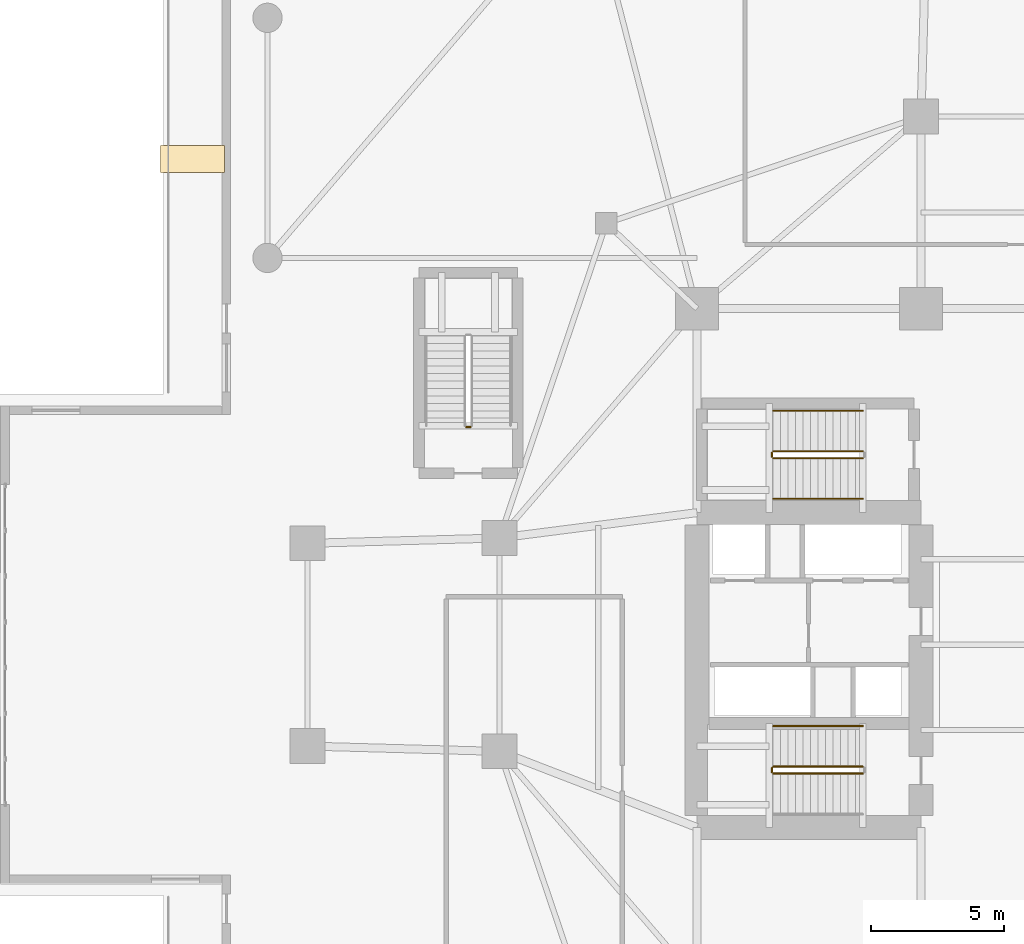
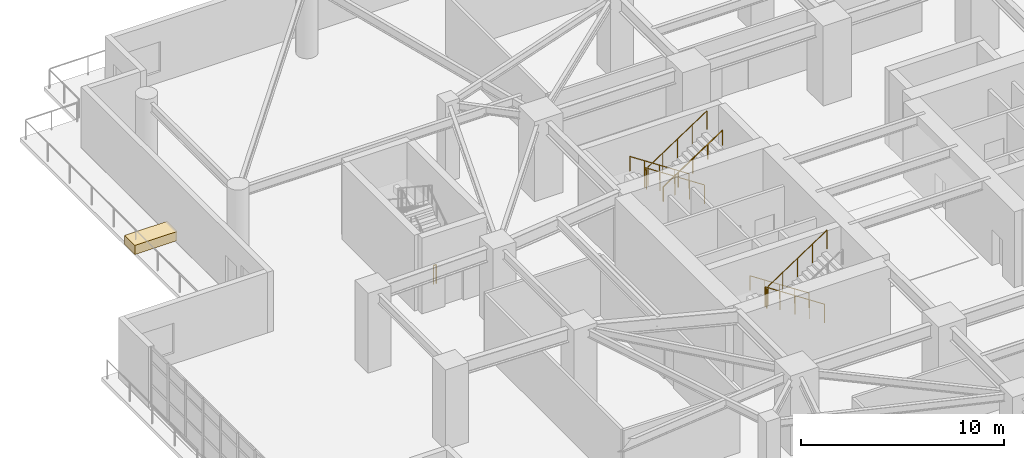
# One storey, part 20 of 23: 10 railings, 1 covering.
"""IFC4 building model written with IfcOpenShell, lengths in metres."""

from ifc_helpers import new_model, si_unit, direction, frame, origin, origin_2d, place, context, subcontext, project, spatial, rectangle, circle, extrude, material, layer, layer_set, type_object, element, save


model = new_model("IFC4")

# Units and contexts
model_context = context("Model", 3, precision=1e-05, world=origin(), true_north=direction((0.0, 1.0)))
body_context = subcontext(model_context, "Body", "Model", "MODEL_VIEW")
ifc_project = project(units=[si_unit("LENGTHUNIT", "METRE"), si_unit("AREAUNIT", "SQUARE_METRE"), si_unit("VOLUMEUNIT", "CUBIC_METRE"), si_unit("PLANEANGLEUNIT", "RADIAN"), si_unit("MASSUNIT", "GRAM", prefix="KILO")], contexts=[model_context])

# Site, building, storey
site_placement = place(None, origin())
site = spatial("IfcSite", under=ifc_project, at=site_placement, CompositionType="ELEMENT")
building_placement = place(site_placement, origin())
building = spatial("IfcBuilding", under=site, at=building_placement, Name="Qingluan Cross Belvedere", CompositionType="ELEMENT")
storey_placement = place(building_placement, frame((0.0, 0.0, 5.39990234375)))
storey = spatial("IfcBuildingStorey", under=building, at=storey_placement, Name="L02", CompositionType="ELEMENT", Elevation=5.39990234375)

# Railings
ifc_material_1 = material(Name="Brushed stainless steel tubular handrail", Category="steel")
railing_type_1 = type_object("IfcRailingType", Name="StairPitchHandrail_900", PredefinedType="HANDRAIL", material=ifc_material_1)
for number, where, name in (
    (1, (-6.179931640625, -3.050048828125, 0.184814453125), "L02 ST1 stair handrail 1"),
    (2, (-6.179931640625, 8.77001953125, 0.184814453125), "L02 ST3 stair handrail 1"),
):
    element("IfcRailing", number, at=place(storey_placement, frame(where)), inside=storey, type_object=railing_type_1, Name=name, PredefinedType="HANDRAIL", context=body_context, shape_type="SweptSolid", body=[
        extrude(circle(Radius=0.02392578125, at=origin_2d()), frame((0.0, 0.0, 0.8759765625), z_axis=(-0.834876476806, 0.0, 0.550437342915), x_axis=(0.0, -1.0, 0.0)), (0.0, 0.0, 1.0), 4.024658203125),
        extrude(circle(Radius=0.02099609375, at=origin_2d()), origin(), (0.0, 0.0, 1.0), 0.851806640625),
        extrude(circle(Radius=0.02099609375, at=origin_2d()), frame((-0.840087890625, 0.0, 0.5537109375)), (0.0, 0.0, 1.0), 0.851806640625),
        extrude(circle(Radius=0.02099609375, at=origin_2d()), frame((-1.68017578125, 0.0, 1.107666015625)), (0.0, 0.0, 1.0), 0.851806640625),
        extrude(circle(Radius=0.02099609375, at=origin_2d()), frame((-2.52001953125, 0.0, 1.66162109375)), (0.0, 0.0, 1.0), 0.851806640625),
        extrude(circle(Radius=0.02099609375, at=origin_2d()), frame((-3.360107421875, 0.0, 2.21533203125)), (0.0, 0.0, 1.0), 0.851806640625),
    ])
railing_1_placement = place(storey_placement, frame((-9.5400390625, 5.469970703125, 2.584716796875)))
element("IfcRailing", 3, at=railing_1_placement, inside=storey, type_object=railing_type_1, Name="L02 ST3 stair handrail 2", PredefinedType="HANDRAIL", context=body_context, shape_type="SweptSolid", body=[
    extrude(circle(Radius=0.02392578125, at=origin_2d()), frame((0.0, 0.0, 0.8759765625), z_axis=(0.834876476806, 0.0, 0.550437342915), x_axis=(0.0, 1.0, 0.0)), (0.0, 0.0, 1.0), 4.024658203125),
    extrude(circle(Radius=0.02099609375, at=origin_2d()), origin(), (0.0, 0.0, 1.0), 0.851806640625),
    extrude(circle(Radius=0.02099609375, at=origin_2d()), frame((0.840087890625, 0.0, 0.5537109375)), (0.0, 0.0, 1.0), 0.851806640625),
    extrude(circle(Radius=0.02099609375, at=origin_2d()), frame((1.68017578125, 0.0, 1.107666015625)), (0.0, 0.0, 1.0), 0.851806640625),
    extrude(circle(Radius=0.02099609375, at=origin_2d()), frame((2.52001953125, 0.0, 1.66162109375)), (0.0, 0.0, 1.0), 0.851806640625),
    extrude(circle(Radius=0.02099609375, at=origin_2d()), frame((3.360107421875, 0.0, 2.21533203125)), (0.0, 0.0, 1.0), 0.851806640625),
])
ifc_material_2 = material(Name="Painted steel stair well guard", Category="steel")
railing_type_2 = type_object("IfcRailingType", Name="StairWellGuard_1150", PredefinedType="BALUSTRADE", material=ifc_material_2)
railing_2_placement = place(storey_placement, frame((-6.179931640625, -4.570068359375, 0.184814453125)))
element("IfcRailing", 4, at=railing_2_placement, inside=storey, type_object=railing_type_2, Name="L02 ST1 stair guard 1", PredefinedType="BALUSTRADE", context=body_context, shape_type="SweptSolid", body=[
    extrude(circle(Radius=0.02392578125, at=origin_2d()), frame((0.0, 0.0, 1.1259765625), z_axis=(-0.834876476806, 0.0, 0.550437342915), x_axis=(0.0, -1.0, 0.0)), (0.0, 0.0, 1.0), 4.024658203125),
    extrude(circle(Radius=0.02099609375, at=origin_2d()), origin(), (0.0, 0.0, 1.0), 1.101806640625),
    extrude(circle(Radius=0.02099609375, at=origin_2d()), frame((-0.840087890625, 0.0, 0.5537109375)), (0.0, 0.0, 1.0), 1.101806640625),
    extrude(circle(Radius=0.02099609375, at=origin_2d()), frame((-1.68017578125, 0.0, 1.107666015625)), (0.0, 0.0, 1.0), 1.101806640625),
    extrude(circle(Radius=0.02099609375, at=origin_2d()), frame((-2.52001953125, 0.0, 1.66162109375)), (0.0, 0.0, 1.0), 1.101806640625),
    extrude(circle(Radius=0.02099609375, at=origin_2d()), frame((-3.360107421875, 0.0, 2.21533203125)), (0.0, 0.0, 1.0), 1.101806640625),
])
railing_3_placement = place(storey_placement, frame((-9.590087890625, -4.6201171875, 2.400146484375)))
element("IfcRailing", 5, at=railing_3_placement, inside=storey, type_object=railing_type_2, Name="L02 ST1 stair guard 2", PredefinedType="BALUSTRADE", context=body_context, shape_type="SweptSolid", body=[
    extrude(circle(Radius=0.02392578125, at=origin_2d()), frame((0.0, 0.0, 1.1259765625), z_axis=(0.0, -1.0, 0.0), x_axis=(1.0, 0.0, 0.0)), (0.0, 0.0, 1.0), 0.159912109375),
    extrude(circle(Radius=0.02099609375, at=origin_2d()), origin(), (0.0, 0.0, 1.0), 1.101806640625),
    extrude(circle(Radius=0.02099609375, at=origin_2d()), frame((0.0, -0.159912109375, 0.0)), (0.0, 0.0, 1.0), 1.101806640625),
])
railing_4_placement = place(storey_placement, frame((-9.5400390625, -4.830078125, 2.584716796875)))
element("IfcRailing", 6, at=railing_4_placement, inside=storey, type_object=railing_type_2, Name="L02 ST1 stair guard 3", PredefinedType="BALUSTRADE", context=body_context, shape_type="SweptSolid", body=[
    extrude(circle(Radius=0.02392578125, at=origin_2d()), frame((0.0, 0.0, 1.1259765625), z_axis=(0.834876476806, 0.0, 0.550437342915), x_axis=(0.0, 1.0, 0.0)), (0.0, 0.0, 1.0), 4.024658203125),
    extrude(circle(Radius=0.02099609375, at=origin_2d()), origin(), (0.0, 0.0, 1.0), 1.101806640625),
    extrude(circle(Radius=0.02099609375, at=origin_2d()), frame((0.840087890625, 0.0, 0.5537109375)), (0.0, 0.0, 1.0), 1.101806640625),
    extrude(circle(Radius=0.02099609375, at=origin_2d()), frame((1.68017578125, 0.0, 1.107666015625)), (0.0, 0.0, 1.0), 1.101806640625),
    extrude(circle(Radius=0.02099609375, at=origin_2d()), frame((2.52001953125, 0.0, 1.66162109375)), (0.0, 0.0, 1.0), 1.101806640625),
    extrude(circle(Radius=0.02099609375, at=origin_2d()), frame((3.360107421875, 0.0, 2.21533203125)), (0.0, 0.0, 1.0), 1.101806640625),
])
railing_5_placement = place(storey_placement, frame((-6.179931640625, 7.25, 0.184814453125)))
element("IfcRailing", 7, at=railing_5_placement, inside=storey, type_object=railing_type_2, Name="L02 ST3 stair guard 1", PredefinedType="BALUSTRADE", context=body_context, shape_type="SweptSolid", body=[
    extrude(circle(Radius=0.02392578125, at=origin_2d()), frame((0.0, 0.0, 1.1259765625), z_axis=(-0.834876476806, 0.0, 0.550437342915), x_axis=(0.0, -1.0, 0.0)), (0.0, 0.0, 1.0), 4.024658203125),
    extrude(circle(Radius=0.02099609375, at=origin_2d()), origin(), (0.0, 0.0, 1.0), 1.101806640625),
    extrude(circle(Radius=0.02099609375, at=origin_2d()), frame((-0.840087890625, 0.0, 0.5537109375)), (0.0, 0.0, 1.0), 1.101806640625),
    extrude(circle(Radius=0.02099609375, at=origin_2d()), frame((-1.68017578125, 0.0, 1.107666015625)), (0.0, 0.0, 1.0), 1.101806640625),
    extrude(circle(Radius=0.02099609375, at=origin_2d()), frame((-2.52001953125, 0.0, 1.66162109375)), (0.0, 0.0, 1.0), 1.101806640625),
    extrude(circle(Radius=0.02099609375, at=origin_2d()), frame((-3.360107421875, 0.0, 2.21533203125)), (0.0, 0.0, 1.0), 1.101806640625),
])
railing_6_placement = place(storey_placement, frame((-9.590087890625, 7.199951171875, 2.400146484375)))
element("IfcRailing", 8, at=railing_6_placement, inside=storey, type_object=railing_type_2, Name="L02 ST3 stair guard 2", PredefinedType="BALUSTRADE", context=body_context, shape_type="SweptSolid", body=[
    extrude(circle(Radius=0.02392578125, at=origin_2d()), frame((0.0, 0.0, 1.1259765625), z_axis=(0.0, -1.0, 0.0), x_axis=(1.0, 0.0, 0.0)), (0.0, 0.0, 1.0), 0.159912109375),
    extrude(circle(Radius=0.02099609375, at=origin_2d()), origin(), (0.0, 0.0, 1.0), 1.101806640625),
    extrude(circle(Radius=0.02099609375, at=origin_2d()), frame((0.0, -0.159912109375, 0.0)), (0.0, 0.0, 1.0), 1.101806640625),
])
railing_7_placement = place(storey_placement, frame((-9.5400390625, 6.989990234375, 2.584716796875)))
element("IfcRailing", 9, at=railing_7_placement, inside=storey, type_object=railing_type_2, Name="L02 ST3 stair guard 3", PredefinedType="BALUSTRADE", context=body_context, shape_type="SweptSolid", body=[
    extrude(circle(Radius=0.02392578125, at=origin_2d()), frame((0.0, 0.0, 1.1259765625), z_axis=(0.834876476806, 0.0, 0.550437342915), x_axis=(0.0, 1.0, 0.0)), (0.0, 0.0, 1.0), 4.024658203125),
    extrude(circle(Radius=0.02099609375, at=origin_2d()), origin(), (0.0, 0.0, 1.0), 1.101806640625),
    extrude(circle(Radius=0.02099609375, at=origin_2d()), frame((0.840087890625, 0.0, 0.5537109375)), (0.0, 0.0, 1.0), 1.101806640625),
    extrude(circle(Radius=0.02099609375, at=origin_2d()), frame((1.68017578125, 0.0, 1.107666015625)), (0.0, 0.0, 1.0), 1.101806640625),
    extrude(circle(Radius=0.02099609375, at=origin_2d()), frame((2.52001953125, 0.0, 1.66162109375)), (0.0, 0.0, 1.0), 1.101806640625),
    extrude(circle(Radius=0.02099609375, at=origin_2d()), frame((3.360107421875, 0.0, 2.21533203125)), (0.0, 0.0, 1.0), 1.101806640625),
])
railing_8_placement = place(storey_placement, frame((-20.889892578125, 8.159912109375, 0.0)))
element("IfcRailing", 10, at=railing_8_placement, inside=storey, type_object=railing_type_2, Name="L02 ST5 stair guard 4", PredefinedType="BALUSTRADE", context=body_context, shape_type="SweptSolid", body=[
    extrude(circle(Radius=0.02392578125, at=origin_2d()), frame((0.0, 0.0, 1.1259765625), z_axis=(-1.0, 0.0, 0.0), x_axis=(0.0, -1.0, 0.0)), (0.0, 0.0, 1.0), 0.16015625),
    extrude(circle(Radius=0.02099609375, at=origin_2d()), origin(), (0.0, 0.0, 1.0), 1.101806640625),
    extrude(circle(Radius=0.02099609375, at=origin_2d()), frame((-0.16015625, 0.0, 0.0)), (0.0, 0.0, 1.0), 1.101806640625),
])

# Covering
ifc_material_3 = material(Name="Precast concrete C40", Category="concrete")
ifc_layer = layer(ifc_material_3, 0.550048828125, Name="TerracePlanterBox")
ifc_layer_set = layer_set([ifc_layer], Name="Precast concrete C40")
covering_type = type_object("IfcCoveringType", Name="TerracePlanterBox", PredefinedType="USERDEFINED", material=ifc_layer_set)
covering_placement = place(storey_placement, frame((-31.30810546875, 18.20703125, 0.0), z_axis=(0.0, 0.0, 1.0), x_axis=(1.0, 0.0, 0.0)))
element("IfcCovering", 11, at=covering_placement, inside=storey, type_object=covering_type, Name="Cascading garden terrace planter L02-2", ObjectType="PLANTER", PredefinedType="USERDEFINED", context=body_context, shape_type="SweptSolid", body=[
    extrude(rectangle(XDim=2.39990234375, YDim=1.0, at=origin_2d()), origin(), (0.0, 0.0, 1.0), 0.550048828125),
])

save(model, "model.ifc")
